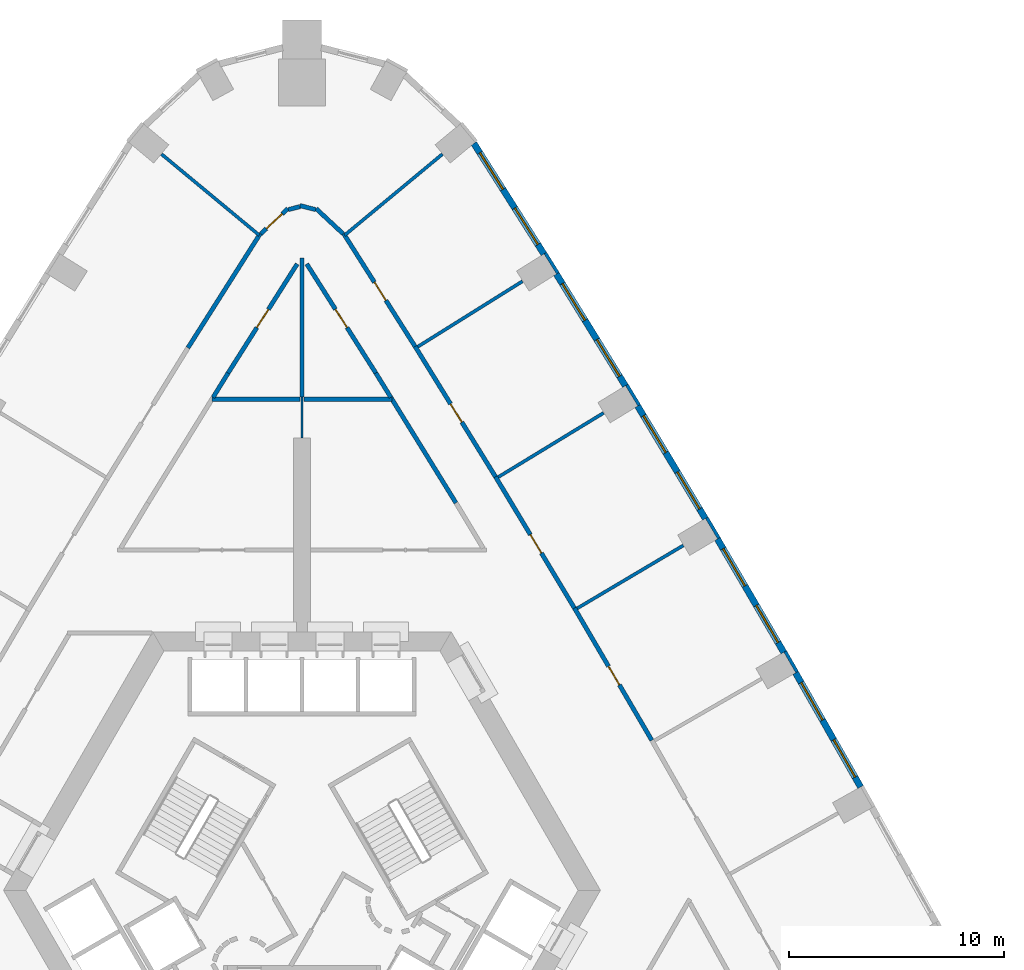
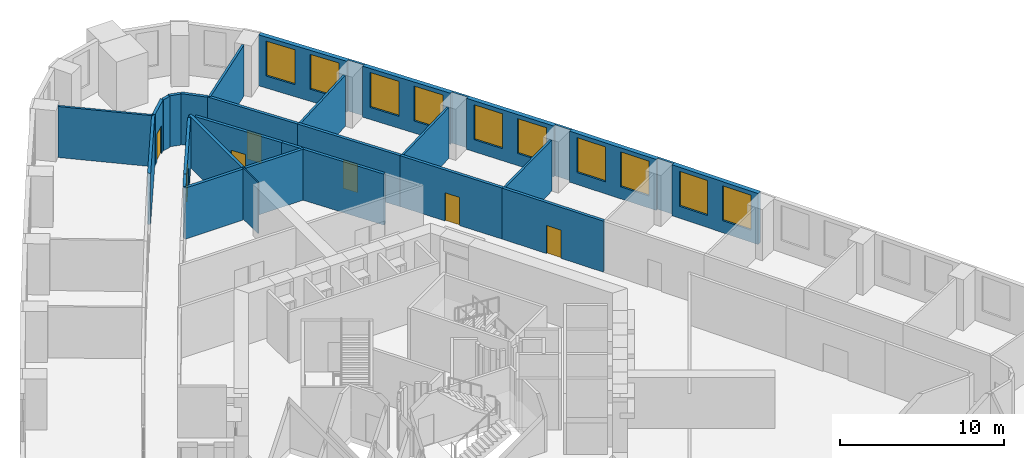
# One storey, part 10 of 13: 32 walls, 10 windows, 7 doors, 17 openings.
"""IFC4 building model written with IfcOpenShell, lengths in metres."""

from ifc_helpers import new_model, si_unit, direction, frame, frame_2d, origin, place, context, subcontext, project, spatial, rectangle, extrude, material, layer, layer_set, type_object, element, fill, save


model = new_model("IFC4")

# Units and contexts
model_context = context("Model", 3, precision=1e-05, world=origin(), true_north=direction((0.0, 1.0)))
body_context = subcontext(model_context, "Body", "Model", "MODEL_VIEW")
ifc_project = project(units=[si_unit("LENGTHUNIT", "METRE"), si_unit("AREAUNIT", "SQUARE_METRE"), si_unit("VOLUMEUNIT", "CUBIC_METRE"), si_unit("PLANEANGLEUNIT", "RADIAN"), si_unit("MASSUNIT", "GRAM", prefix="KILO")], contexts=[model_context])

# Site, building, storey
site_placement = place(None, origin())
site = spatial("IfcSite", under=ifc_project, at=site_placement, CompositionType="ELEMENT")
building_placement = place(site_placement, origin())
building = spatial("IfcBuilding", under=site, at=building_placement, Name="Entoto Arch Interchange Tower", CompositionType="ELEMENT")
storey_placement = place(building_placement, frame((0.0, 0.0, 90.800048828125)))
storey = spatial("IfcBuildingStorey", under=building, at=storey_placement, Name="L19", CompositionType="ELEMENT", Elevation=90.800048828125)

# Walls
ifc_material_1 = material(Name="Gypsum board partition on steel studs", Category="steel")
ifc_layer_1 = layer(ifc_material_1, 0.10009765625)
ifc_layer_set_1 = layer_set([ifc_layer_1], Name="Gypsum board partition on steel studs")
wall_type_1 = type_object("IfcWallType", Name="PARTITION 100", PredefinedType="PARTITIONING", material=ifc_layer_set_1)
wall_1_placement = place(storey_placement, frame((0.0, 23.5, 0.0), z_axis=(0.0, 0.0, 1.0), x_axis=(0.0, 1.0, 0.0)))
element("IfcWall", 1, at=wall_1_placement, inside=storey, type_object=wall_type_1, Name="wall:L19:p103", PredefinedType="PARTITIONING", context=body_context, shape_type="SweptSolid", body=[
    extrude(rectangle(XDim=1.89990234375, YDim=0.10009765625, at=frame_2d((0.949951171875, 0.0))), origin(), (0.0, 0.0, 1.0), 3.800048828125),
])
ifc_layer_2 = layer(ifc_material_1, 0.14990234375)
ifc_layer_set_2 = layer_set([ifc_layer_2], Name="Gypsum board partition on steel studs")
wall_type_2 = type_object("IfcWallType", Name="PARTITION 150", PredefinedType="PARTITIONING", material=ifc_layer_set_2)
wall_2_placement = place(storey_placement, frame((12.77587890625, 15.589111328125, 0.0), z_axis=(0.0, 0.0, 1.0), x_axis=(0.860225086153, 0.509914503768, 0.0)))
element("IfcWall", 2, at=wall_2_placement, inside=storey, type_object=wall_type_2, Name="wall:L19:p119", PredefinedType="PARTITIONING", context=body_context, shape_type="SweptSolid", body=[
    extrude(rectangle(XDim=5.730224609375, YDim=0.14990234375, at=frame_2d((2.865234375, 0.0))), origin(), (0.0, 0.0, 1.0), 3.800048828125),
])
wall_3_placement = place(storey_placement, frame((9.113037109375, 21.68408203125, 0.0), z_axis=(0.0, 0.0, 1.0), x_axis=(0.854075097122, 0.520149717367, 0.0)))
element("IfcWall", 3, at=wall_3_placement, inside=storey, type_object=wall_type_2, Name="wall:L19:p120", PredefinedType="PARTITIONING", context=body_context, shape_type="SweptSolid", body=[
    extrude(rectangle(XDim=5.72900390625, YDim=0.14990234375, at=frame_2d((2.864501953125, 0.0))), origin(), (0.0, 0.0, 1.0), 3.800048828125),
])
wall_4_placement = place(storey_placement, frame((5.3779296875, 27.737060546875, 0.0), z_axis=(0.0, 0.0, 1.0), x_axis=(0.848005484868, 0.529987450449, 0.0)))
element("IfcWall", 4, at=wall_4_placement, inside=storey, type_object=wall_type_2, Name="wall:L19:p121", PredefinedType="PARTITIONING", context=body_context, shape_type="SweptSolid", body=[
    extrude(rectangle(XDim=5.72998046875, YDim=0.14990234375, at=frame_2d((2.864990234375, 0.0))), origin(), (0.0, 0.0, 1.0), 3.800048828125),
])
for number, where, z_axis, x_axis, name in (
    (5, (1.98193359375, 32.9130859375, 0.0), (0.0, 0.0, 1.0), (0.769679976891, 0.638429896835, 0.0), "wall:L19:p122"),
    (6, (-1.98193359375, 32.9130859375, 0.0), (0.0, 0.0, 1.0), (-0.769679976891, 0.638429896835, 0.0), "wall:L19:p123"),
):
    element("IfcWall", number, at=place(storey_placement, frame(where, z_axis=z_axis, x_axis=x_axis)), inside=storey, type_object=wall_type_2, Name=name, PredefinedType="PARTITIONING", context=body_context, shape_type="SweptSolid", body=[
        extrude(rectangle(XDim=5.89111328125, YDim=0.14990234375, at=frame_2d((2.945556640625, 0.0))), origin(), (0.0, 0.0, 1.0), 3.800048828125),
    ])
ifc_layer_3 = layer(ifc_material_1, 0.199951171875)
ifc_layer_set_3 = layer_set([ifc_layer_3], Name="Gypsum board partition on steel studs")
wall_type_3 = type_object("IfcWallType", Name="PARTITION 200", PredefinedType="PARTITIONING", material=ifc_layer_set_3)
wall_5_placement = place(storey_placement, frame((7.14794921875, 20.488037109375, 0.0), z_axis=(0.0, 0.0, 1.0), x_axis=(-0.525162244663, 0.851002125016, 0.0)))
element("IfcWall", 7, at=wall_5_placement, inside=storey, type_object=wall_type_3, Name="wall:L19:p002", PredefinedType="PARTITIONING", context=body_context, shape_type="SweptSolid", body=[
    extrude(rectangle(XDim=5.75439453125, YDim=0.199951171875, at=frame_2d((2.877197265625, 0.0))), origin(), (0.0, 0.0, 1.0), 3.800048828125),
])
wall_6_placement = place(storey_placement, frame((4.1259765625, 25.385009765625, 0.0), z_axis=(0.0, 0.0, 1.0), x_axis=(-0.524824420869, 0.851210507019, 0.0)))
element("IfcWall", 8, at=wall_6_placement, inside=storey, type_object=wall_type_3, Name="wall:L19:p008", PredefinedType="PARTITIONING", context=body_context, shape_type="SweptSolid", body=[
    extrude(rectangle(XDim=1.330078125, YDim=0.199951171875, at=frame_2d((0.6650390625, 0.0))), origin(), (0.0, 0.0, 1.0), 3.800048828125),
])

# Wall, opening, door
wall_7_placement = place(storey_placement, frame((3.427978515625, 26.51708984375, 0.0), z_axis=(0.0, 0.0, 1.0), x_axis=(-0.535034639024, 0.844830122003, 0.0)))
wall_7 = element("IfcWall", 9, at=wall_7_placement, inside=storey, type_object=wall_type_3, Name="wall:L19:p009", PredefinedType="PARTITIONING", context=body_context, shape_type="SweptSolid", body=[
    extrude(rectangle(XDim=5.994140625, YDim=0.199951171875, at=frame_2d((2.9970703125, 0.0))), origin(), (0.0, 0.0, 1.0), 3.800048828125),
])
opening_1_placement = place(wall_7_placement, frame((2.4970703125, 0.0, 0.0)))
opening_1 = element("IfcOpeningElement", 10, at=opening_1_placement, cuts=wall_7, Name="Opening L19-D26", PredefinedType="OPENING", context=body_context, shape_type="SweptSolid", body=[
    extrude(rectangle(XDim=1.0, YDim=2.10009765625, at=frame_2d((0.5, 1.050048828125))), frame((0.0, 0.10986328125, 0.0), z_axis=(0.0, -1.0, 0.0), x_axis=(1.0, 0.0, 0.0)), (0.0, 0.0, 1.0), 0.219970703125),
])
ifc_material_2 = material(Name="Timber door leaf in Steel S235 frame", Category="steel")
door_type = type_object("IfcDoorType", Name="DOOR DS-10 1000x2100", OperationType="SINGLE_SWING_LEFT", PredefinedType="DOOR", material=ifc_material_2)
door_1_placement = place(opening_1_placement, origin())
door_1 = element("IfcDoor", 11, at=door_1_placement, inside=storey, type_object=door_type, Name="door:L19:26", OperationType="SINGLE_SWING_LEFT", OverallHeight=2.10009765625, OverallWidth=1.0, PredefinedType="DOOR", context=body_context, shape_type="SweptSolid", body=[
    extrude(rectangle(XDim=1.0, YDim=2.10009765625, at=frame_2d((0.5, 1.050048828125))), frame((0.0, 0.02490234375, 0.0), z_axis=(0.0, -1.0, 0.0), x_axis=(1.0, 0.0, 0.0)), (0.0, 0.0, 1.0), 0.050048828125),
])
fill(opening_1, door_1)

wall_8_placement = place(storey_placement, frame((-0.220947265625, 31.5810546875, 0.0), z_axis=(0.0, 0.0, 1.0), x_axis=(-0.535034639024, -0.844830122003, 0.0)))
wall_8 = element("IfcWall", 12, at=wall_8_placement, inside=storey, type_object=wall_type_3, Name="wall:L19:p010", PredefinedType="PARTITIONING", context=body_context, shape_type="SweptSolid", body=[
    extrude(rectangle(XDim=5.994140625, YDim=0.199951171875, at=frame_2d((2.9970703125, 0.0))), origin(), (0.0, 0.0, 1.0), 3.800048828125),
])
opening_2_placement = place(wall_8_placement, frame((2.4970703125, 0.0, 0.0)))
opening_2 = element("IfcOpeningElement", 13, at=opening_2_placement, cuts=wall_8, Name="Opening L19-D27", PredefinedType="OPENING", context=body_context, shape_type="SweptSolid", body=[
    extrude(rectangle(XDim=1.0, YDim=2.10009765625, at=frame_2d((0.5, 1.050048828125))), frame((0.0, 0.10986328125, 0.0), z_axis=(0.0, -1.0, 0.0), x_axis=(1.0, 0.0, 0.0)), (0.0, 0.0, 1.0), 0.219970703125),
])
door_2_placement = place(opening_2_placement, origin())
door_2 = element("IfcDoor", 14, at=door_2_placement, inside=storey, type_object=door_type, Name="door:L19:27", OperationType="SINGLE_SWING_LEFT", OverallHeight=2.10009765625, OverallWidth=1.0, PredefinedType="DOOR", context=body_context, shape_type="SweptSolid", body=[
    extrude(rectangle(XDim=1.0, YDim=2.10009765625, at=frame_2d((0.5, 1.050048828125))), frame((0.0, 0.02490234375, 0.0), z_axis=(0.0, -1.0, 0.0), x_axis=(1.0, 0.0, 0.0)), (0.0, 0.0, 1.0), 0.050048828125),
])
fill(opening_2, door_2)

# Wall
wall_9_placement = place(storey_placement, frame((-3.427978515625, 26.51708984375, 0.0), z_axis=(0.0, 0.0, 1.0), x_axis=(-0.524824420869, -0.851210507019, 0.0)))
element("IfcWall", 15, at=wall_9_placement, inside=storey, type_object=wall_type_3, Name="wall:L19:p011", PredefinedType="PARTITIONING", context=body_context, shape_type="SweptSolid", body=[
    extrude(rectangle(XDim=1.330078125, YDim=0.199951171875, at=frame_2d((0.6650390625, 0.0))), origin(), (0.0, 0.0, 1.0), 3.800048828125),
])

# Wall, opening, door
wall_10_placement = place(storey_placement, frame((12.652099609375, 15.60205078125, 0.0), z_axis=(0.0, 0.0, 1.0), x_axis=(0.504914693075, -0.863169249172, 0.0)))
wall_10 = element("IfcWall", 16, at=wall_10_placement, inside=storey, type_object=wall_type_3, Name="wall:L19:p043", PredefinedType="PARTITIONING", context=body_context, shape_type="SweptSolid", body=[
    extrude(rectangle(XDim=7.10986328125, YDim=0.199951171875, at=frame_2d((3.554931640625, 0.0))), origin(), (0.0, 0.0, 1.0), 3.800048828125),
])
opening_3_placement = place(wall_10_placement, frame((3.1298828125, 0.0, 0.0)))
opening_3 = element("IfcOpeningElement", 17, at=opening_3_placement, cuts=wall_10, Name="Opening L19-D09", PredefinedType="OPENING", context=body_context, shape_type="SweptSolid", body=[
    extrude(rectangle(XDim=1.0, YDim=2.10009765625, at=frame_2d((0.5, 1.050048828125))), frame((0.0, 0.10986328125, 0.0), z_axis=(0.0, -1.0, 0.0), x_axis=(1.0, 0.0, 0.0)), (0.0, 0.0, 1.0), 0.219970703125),
])
door_3_placement = place(opening_3_placement, origin())
door_3 = element("IfcDoor", 18, at=door_3_placement, inside=storey, type_object=door_type, Name="door:L19:09", OperationType="SINGLE_SWING_LEFT", OverallHeight=2.10009765625, OverallWidth=1.0, PredefinedType="DOOR", context=body_context, shape_type="SweptSolid", body=[
    extrude(rectangle(XDim=1.0, YDim=2.10009765625, at=frame_2d((0.5, 1.050048828125))), frame((0.0, 0.02490234375, 0.0), z_axis=(0.0, -1.0, 0.0), x_axis=(1.0, 0.0, 0.0)), (0.0, 0.0, 1.0), 0.050048828125),
])
fill(opening_3, door_3)

wall_11_placement = place(storey_placement, frame((8.989013671875, 21.696044921875, 0.0), z_axis=(0.0, 0.0, 1.0), x_axis=(0.515000602442, -0.857189815318, 0.0)))
wall_11 = element("IfcWall", 19, at=wall_11_placement, inside=storey, type_object=wall_type_3, Name="wall:L19:p044", PredefinedType="PARTITIONING", context=body_context, shape_type="SweptSolid", body=[
    extrude(rectangle(XDim=7.1103515625, YDim=0.199951171875, at=frame_2d((3.55517578125, 0.0))), origin(), (0.0, 0.0, 1.0), 3.800048828125),
])
opening_4_placement = place(wall_11_placement, frame((3.1298828125, 0.0, 0.0)))
opening_4 = element("IfcOpeningElement", 20, at=opening_4_placement, cuts=wall_11, Name="Opening L19-D10", PredefinedType="OPENING", context=body_context, shape_type="SweptSolid", body=[
    extrude(rectangle(XDim=1.0, YDim=2.10009765625, at=frame_2d((0.5, 1.050048828125))), frame((0.0, 0.10986328125, 0.0), z_axis=(0.0, -1.0, 0.0), x_axis=(1.0, 0.0, 0.0)), (0.0, 0.0, 1.0), 0.219970703125),
])
door_4_placement = place(opening_4_placement, origin())
door_4 = element("IfcDoor", 21, at=door_4_placement, inside=storey, type_object=door_type, Name="door:L19:10", OperationType="SINGLE_SWING_LEFT", OverallHeight=2.10009765625, OverallWidth=1.0, PredefinedType="DOOR", context=body_context, shape_type="SweptSolid", body=[
    extrude(rectangle(XDim=1.0, YDim=2.10009765625, at=frame_2d((0.5, 1.050048828125))), frame((0.0, 0.02490234375, 0.0), z_axis=(0.0, -1.0, 0.0), x_axis=(1.0, 0.0, 0.0)), (0.0, 0.0, 1.0), 0.050048828125),
])
fill(opening_4, door_4)

wall_12_placement = place(storey_placement, frame((5.25390625, 27.7470703125, 0.0), z_axis=(0.0, 0.0, 1.0), x_axis=(0.52516023635, -0.851003364363, 0.0)))
wall_12 = element("IfcWall", 22, at=wall_12_placement, inside=storey, type_object=wall_type_3, Name="wall:L19:p045", PredefinedType="PARTITIONING", context=body_context, shape_type="SweptSolid", body=[
    extrude(rectangle(XDim=7.1103515625, YDim=0.199951171875, at=frame_2d((3.55517578125, 0.0))), origin(), (0.0, 0.0, 1.0), 3.800048828125),
])
opening_5_placement = place(wall_12_placement, frame((3.1298828125, 0.0, 0.0)))
opening_5 = element("IfcOpeningElement", 23, at=opening_5_placement, cuts=wall_12, Name="Opening L19-D11", PredefinedType="OPENING", context=body_context, shape_type="SweptSolid", body=[
    extrude(rectangle(XDim=1.0, YDim=2.10009765625, at=frame_2d((0.5, 1.050048828125))), frame((0.0, 0.10986328125, 0.0), z_axis=(0.0, -1.0, 0.0), x_axis=(1.0, 0.0, 0.0)), (0.0, 0.0, 1.0), 0.219970703125),
])
door_5_placement = place(opening_5_placement, origin())
door_5 = element("IfcDoor", 24, at=door_5_placement, inside=storey, type_object=door_type, Name="door:L19:11", OperationType="SINGLE_SWING_LEFT", OverallHeight=2.10009765625, OverallWidth=1.0, PredefinedType="DOOR", context=body_context, shape_type="SweptSolid", body=[
    extrude(rectangle(XDim=1.0, YDim=2.10009765625, at=frame_2d((0.5, 1.050048828125))), frame((0.0, 0.02490234375, 0.0), z_axis=(0.0, -1.0, 0.0), x_axis=(1.0, 0.0, 0.0)), (0.0, 0.0, 1.0), 0.050048828125),
])
fill(opening_5, door_5)

wall_13_placement = place(storey_placement, frame((1.928955078125, 32.9970703125, 0.0), z_axis=(0.0, 0.0, 1.0), x_axis=(0.534863276222, -0.844938622474, 0.0)))
wall_13 = element("IfcWall", 25, at=wall_13_placement, inside=storey, type_object=wall_type_3, Name="wall:L19:p046", PredefinedType="PARTITIONING", context=body_context, shape_type="SweptSolid", body=[
    extrude(rectangle(XDim=6.214599609375, YDim=0.199951171875, at=frame_2d((3.107421875, 0.0))), origin(), (0.0, 0.0, 1.0), 3.800048828125),
])
opening_6_placement = place(wall_13_placement, frame((2.681884765625, 0.0, 0.0)))
opening_6 = element("IfcOpeningElement", 26, at=opening_6_placement, cuts=wall_13, Name="Opening L19-D12", PredefinedType="OPENING", context=body_context, shape_type="SweptSolid", body=[
    extrude(rectangle(XDim=1.0, YDim=2.10009765625, at=frame_2d((0.5, 1.050048828125))), frame((0.0, 0.10986328125, 0.0), z_axis=(0.0, -1.0, 0.0), x_axis=(1.0, 0.0, 0.0)), (0.0, 0.0, 1.0), 0.219970703125),
])
door_6_placement = place(opening_6_placement, origin())
door_6 = element("IfcDoor", 27, at=door_6_placement, inside=storey, type_object=door_type, Name="door:L19:12", OperationType="SINGLE_SWING_LEFT", OverallHeight=2.10009765625, OverallWidth=1.0, PredefinedType="DOOR", context=body_context, shape_type="SweptSolid", body=[
    extrude(rectangle(XDim=1.0, YDim=2.10009765625, at=frame_2d((0.5, 1.050048828125))), frame((0.0, 0.02490234375, 0.0), z_axis=(0.0, -1.0, 0.0), x_axis=(1.0, 0.0, 0.0)), (0.0, 0.0, 1.0), 0.050048828125),
])
fill(opening_6, door_6)

wall_14_placement = place(storey_placement, frame((-1.908935546875, 32.98095703125, 0.0), z_axis=(0.0, 0.0, 1.0), x_axis=(0.731549606095, 0.681788217721, 0.0)))
wall_14 = element("IfcWall", 28, at=wall_14_placement, inside=storey, type_object=wall_type_3, Name="wall:L19:p047", PredefinedType="PARTITIONING", context=body_context, shape_type="SweptSolid", body=[
    extrude(rectangle(XDim=1.707275390625, YDim=0.199951171875, at=frame_2d((0.853515625, 0.0))), origin(), (0.0, 0.0, 1.0), 3.800048828125),
])
opening_7_placement = place(wall_14_placement, frame((0.35302734375, 0.0, 0.0)))
opening_7 = element("IfcOpeningElement", 29, at=opening_7_placement, cuts=wall_14, Name="Opening L19-D13", PredefinedType="OPENING", context=body_context, shape_type="SweptSolid", body=[
    extrude(rectangle(XDim=1.0, YDim=2.10009765625, at=frame_2d((0.5, 1.050048828125))), frame((0.0, 0.10986328125, 0.0), z_axis=(0.0, -1.0, 0.0), x_axis=(1.0, 0.0, 0.0)), (0.0, 0.0, 1.0), 0.219970703125),
])
door_7_placement = place(opening_7_placement, origin())
door_7 = element("IfcDoor", 30, at=door_7_placement, inside=storey, type_object=door_type, Name="door:L19:13", OperationType="SINGLE_SWING_RIGHT", OverallHeight=2.10009765625, OverallWidth=1.0, PredefinedType="DOOR", context=body_context, shape_type="SweptSolid", body=[
    extrude(rectangle(XDim=1.0, YDim=2.10009765625, at=frame_2d((0.5, 1.050048828125))), frame((0.0, 0.02490234375, 0.0), z_axis=(0.0, -1.0, 0.0), x_axis=(1.0, 0.0, 0.0)), (0.0, 0.0, 1.0), 0.050048828125),
])
fill(opening_7, door_7)

# Walls
wall_15_placement = place(storey_placement, frame((-0.636962890625, 34.10107421875, 0.0), z_axis=(0.0, 0.0, 1.0), x_axis=(0.968893133717, 0.247479484878, 0.0)))
element("IfcWall", 31, at=wall_15_placement, inside=storey, type_object=wall_type_3, Name="wall:L19:p048", PredefinedType="PARTITIONING", context=body_context, shape_type="SweptSolid", body=[
    extrude(rectangle(XDim=0.557373046875, YDim=0.199951171875, at=frame_2d((0.27880859375, 0.0))), origin(), (0.0, 0.0, 1.0), 3.800048828125),
])
wall_16_placement = place(storey_placement, frame((-0.096923828125, 34.2890625, 0.0), z_axis=(0.0, 0.0, 1.0), x_axis=(0.96872347969, -0.248142740972, 0.0)))
element("IfcWall", 32, at=wall_16_placement, inside=storey, type_object=wall_type_3, Name="wall:L19:p049", PredefinedType="PARTITIONING", context=body_context, shape_type="SweptSolid", body=[
    extrude(rectangle(XDim=0.757568359375, YDim=0.199951171875, at=frame_2d((0.37890625, 0.0))), origin(), (0.0, 0.0, 1.0), 3.800048828125),
])
wall_17_placement = place(storey_placement, frame((0.659912109375, 34.14501953125, 0.0), z_axis=(0.0, 0.0, 1.0), x_axis=(0.731549606095, -0.681788217721, 0.0)))
element("IfcWall", 33, at=wall_17_placement, inside=storey, type_object=wall_type_3, Name="wall:L19:p050", PredefinedType="PARTITIONING", context=body_context, shape_type="SweptSolid", body=[
    extrude(rectangle(XDim=1.707275390625, YDim=0.199951171875, at=frame_2d((0.853515625, 0.0))), origin(), (0.0, 0.0, 1.0), 3.800048828125),
])
wall_18_placement = place(storey_placement, frame((-5.29296875, 27.68408203125, 0.0), z_axis=(0.0, 0.0, 1.0), x_axis=(0.534952324147, 0.844882246759, 0.0)))
element("IfcWall", 34, at=wall_18_placement, inside=storey, type_object=wall_type_3, Name="wall:L19:p052", PredefinedType="PARTITIONING", context=body_context, shape_type="SweptSolid", body=[
    extrude(rectangle(XDim=6.288330078125, YDim=0.199951171875, at=frame_2d((3.14404296875, 0.0))), origin(), (0.0, 0.0, 1.0), 3.800048828125),
])
for number, where, z_axis, x_axis, name in (
    (35, (0.10009765625, 25.300048828125, 0.0), (0.0, 0.0, 1.0), (1.0, 0.0, 0.0), "wall:L19:p104"),
    (36, (-4.178955078125, 25.300048828125, 0.0), (0.0, 0.0, 1.0), (1.0, 0.0, 0.0), "wall:L19:p105"),
):
    element("IfcWall", number, at=place(storey_placement, frame(where, z_axis=z_axis, x_axis=x_axis)), inside=storey, type_object=wall_type_3, Name=name, PredefinedType="PARTITIONING", context=body_context, shape_type="SweptSolid", body=[
        extrude(rectangle(XDim=4.078857421875, YDim=0.199951171875, at=frame_2d((2.03955078125, 0.0))), origin(), (0.0, 0.0, 1.0), 3.800048828125),
    ])
wall_19_placement = place(storey_placement, frame((0.0, 25.39990234375, 0.0), z_axis=(0.0, 0.0, 1.0), x_axis=(0.0, 1.0, 0.0)))
element("IfcWall", 37, at=wall_19_placement, inside=storey, type_object=wall_type_3, Name="wall:L19:p106", PredefinedType="PARTITIONING", context=body_context, shape_type="SweptSolid", body=[
    extrude(rectangle(XDim=6.453125, YDim=0.199951171875, at=frame_2d((3.2265625, 0.0))), origin(), (0.0, 0.0, 1.0), 3.800048828125),
])

# Wall, openings, windows
ifc_material_3 = material(Name="Welded tuff (ignimbrite) cladding, warm buff", Category="masonry")
ifc_layer_4 = layer(ifc_material_3, 0.300048828125)
ifc_layer_set_4 = layer_set([ifc_layer_4], Name="Welded tuff (ignimbrite) cladding, warm buff")
wall_type_4 = type_object("IfcWallType", Name="STONE INFILL WALL 300", PredefinedType="STANDARD", material=ifc_layer_set_4)
wall_20_placement = place(storey_placement, frame((25.93603515625, 7.299072265625, 0.0), z_axis=(0.0, 0.0, 1.0), x_axis=(-0.49492259535, 0.868937065967, 0.0)))
wall_20 = element("IfcWall", 38, at=wall_20_placement, inside=storey, type_object=wall_type_4, Name="Facade wall NE-04 L19", PredefinedType="STANDARD", context=body_context, shape_type="SweptSolid", body=[
    extrude(rectangle(XDim=6.09814453125, YDim=0.300048828125, at=frame_2d((3.049072265625, 0.0))), origin(), (0.0, 0.0, 1.0), 3.800048828125),
])
opening_8_placement = place(wall_20_placement, frame((0.52490234375, 0.0, 0.89990234375)))
opening_8 = element("IfcOpeningElement", 39, at=opening_8_placement, cuts=wall_20, Name="Opening WO-C", PredefinedType="OPENING", context=body_context, shape_type="SweptSolid", body=[
    extrude(rectangle(XDim=2.0, YDim=2.60009765625, at=frame_2d((1.0, 1.300048828125))), frame((0.0, 0.16015625, 0.0), z_axis=(0.0, -1.0, 0.0), x_axis=(1.0, 0.0, 0.0)), (0.0, 0.0, 1.0), 0.320068359375),
])
opening_9_placement = place(wall_20_placement, frame((3.573974609375, 0.0, 0.89990234375)))
opening_9 = element("IfcOpeningElement", 40, at=opening_9_placement, cuts=wall_20, Name="Opening WO-C", PredefinedType="OPENING", context=body_context, shape_type="SweptSolid", body=[
    extrude(rectangle(XDim=2.0, YDim=2.60009765625, at=frame_2d((1.0, 1.300048828125))), frame((0.0, 0.16015625, 0.0), z_axis=(0.0, -1.0, 0.0), x_axis=(1.0, 0.0, 0.0)), (0.0, 0.0, 1.0), 0.320068359375),
])
ifc_material_4 = material(Name="Clear glass, low-e double glazed", Category="glass")
window_type = type_object("IfcWindowType", Name="WINDOW WO-C 2000x2600", PartitioningType="DOUBLE_PANEL_VERTICAL", PredefinedType="WINDOW", material=ifc_material_4)
window_1_placement = place(opening_8_placement, origin())
window_1 = element("IfcWindow", 41, at=window_1_placement, inside=storey, type_object=window_type, Name="Window WO-C NE-04 L19", OverallHeight=2.60009765625, OverallWidth=2.0, PartitioningType="SINGLE_PANEL", PredefinedType="WINDOW", context=body_context, shape_type="SweptSolid", body=[
    extrude(rectangle(XDim=2.0, YDim=2.60009765625, at=frame_2d((1.0, 1.300048828125))), frame((0.0, 0.030029296875, 0.0), z_axis=(0.0, -1.0, 0.0), x_axis=(1.0, 0.0, 0.0)), (0.0, 0.0, 1.0), 0.06005859375),
])
fill(opening_8, window_1)
window_2_placement = place(opening_9_placement, origin())
window_2 = element("IfcWindow", 42, at=window_2_placement, inside=storey, type_object=window_type, Name="Window WO-C NE-04 L19", OverallHeight=2.60009765625, OverallWidth=2.0, PartitioningType="SINGLE_PANEL", PredefinedType="WINDOW", context=body_context, shape_type="SweptSolid", body=[
    extrude(rectangle(XDim=2.0, YDim=2.60009765625, at=frame_2d((1.0, 1.300048828125))), frame((0.0, 0.030029296875, 0.0), z_axis=(0.0, -1.0, 0.0), x_axis=(1.0, 0.0, 0.0)), (0.0, 0.0, 1.0), 0.06005859375),
])
fill(opening_9, window_2)

wall_21_placement = place(storey_placement, frame((22.368896484375, 13.549072265625, 0.0), z_axis=(0.0, 0.0, 1.0), x_axis=(-0.504998117261, 0.863120444413, 0.0)))
wall_21 = element("IfcWall", 43, at=wall_21_placement, inside=storey, type_object=wall_type_4, Name="Facade wall NE-05 L19", PredefinedType="STANDARD", context=body_context, shape_type="SweptSolid", body=[
    extrude(rectangle(XDim=6.0986328125, YDim=0.300048828125, at=frame_2d((3.04931640625, 0.0))), origin(), (0.0, 0.0, 1.0), 3.800048828125),
])
opening_10_placement = place(wall_21_placement, frame((0.52490234375, 0.0, 0.89990234375)))
opening_10 = element("IfcOpeningElement", 44, at=opening_10_placement, cuts=wall_21, Name="Opening WO-C", PredefinedType="OPENING", context=body_context, shape_type="SweptSolid", body=[
    extrude(rectangle(XDim=2.0, YDim=2.60009765625, at=frame_2d((1.0, 1.300048828125))), frame((0.0, 0.16015625, 0.0), z_axis=(0.0, -1.0, 0.0), x_axis=(1.0, 0.0, 0.0)), (0.0, 0.0, 1.0), 0.320068359375),
])
opening_11_placement = place(wall_21_placement, frame((3.573974609375, 0.0, 0.89990234375)))
opening_11 = element("IfcOpeningElement", 45, at=opening_11_placement, cuts=wall_21, Name="Opening WO-C", PredefinedType="OPENING", context=body_context, shape_type="SweptSolid", body=[
    extrude(rectangle(XDim=2.0, YDim=2.60009765625, at=frame_2d((1.0, 1.300048828125))), frame((0.0, 0.16015625, 0.0), z_axis=(0.0, -1.0, 0.0), x_axis=(1.0, 0.0, 0.0)), (0.0, 0.0, 1.0), 0.320068359375),
])
window_3_placement = place(opening_10_placement, origin())
window_3 = element("IfcWindow", 46, at=window_3_placement, inside=storey, type_object=window_type, Name="Window WO-C NE-05 L19", OverallHeight=2.60009765625, OverallWidth=2.0, PartitioningType="SINGLE_PANEL", PredefinedType="WINDOW", context=body_context, shape_type="SweptSolid", body=[
    extrude(rectangle(XDim=2.0, YDim=2.60009765625, at=frame_2d((1.0, 1.300048828125))), frame((0.0, 0.030029296875, 0.0), z_axis=(0.0, -1.0, 0.0), x_axis=(1.0, 0.0, 0.0)), (0.0, 0.0, 1.0), 0.06005859375),
])
fill(opening_10, window_3)
window_4_placement = place(opening_11_placement, origin())
window_4 = element("IfcWindow", 47, at=window_4_placement, inside=storey, type_object=window_type, Name="Window WO-C NE-05 L19", OverallHeight=2.60009765625, OverallWidth=2.0, PartitioningType="SINGLE_PANEL", PredefinedType="WINDOW", context=body_context, shape_type="SweptSolid", body=[
    extrude(rectangle(XDim=2.0, YDim=2.60009765625, at=frame_2d((1.0, 1.300048828125))), frame((0.0, 0.030029296875, 0.0), z_axis=(0.0, -1.0, 0.0), x_axis=(1.0, 0.0, 0.0)), (0.0, 0.0, 1.0), 0.06005859375),
])
fill(opening_11, window_4)

wall_22_placement = place(storey_placement, frame((18.72900390625, 19.757080078125, 0.0), z_axis=(0.0, 0.0, 1.0), x_axis=(-0.515102053092, 0.857128855483, 0.0)))
wall_22 = element("IfcWall", 48, at=wall_22_placement, inside=storey, type_object=wall_type_4, Name="Facade wall NE-06 L19", PredefinedType="STANDARD", context=body_context, shape_type="SweptSolid", body=[
    extrude(rectangle(XDim=6.09814453125, YDim=0.300048828125, at=frame_2d((3.049072265625, 0.0))), origin(), (0.0, 0.0, 1.0), 3.800048828125),
])
opening_12_placement = place(wall_22_placement, frame((0.52490234375, 0.0, 0.89990234375)))
opening_12 = element("IfcOpeningElement", 49, at=opening_12_placement, cuts=wall_22, Name="Opening WO-C", PredefinedType="OPENING", context=body_context, shape_type="SweptSolid", body=[
    extrude(rectangle(XDim=2.0, YDim=2.60009765625, at=frame_2d((1.0, 1.300048828125))), frame((0.0, 0.16015625, 0.0), z_axis=(0.0, -1.0, 0.0), x_axis=(1.0, 0.0, 0.0)), (0.0, 0.0, 1.0), 0.320068359375),
])
opening_13_placement = place(wall_22_placement, frame((3.573974609375, 0.0, 0.89990234375)))
opening_13 = element("IfcOpeningElement", 50, at=opening_13_placement, cuts=wall_22, Name="Opening WO-C", PredefinedType="OPENING", context=body_context, shape_type="SweptSolid", body=[
    extrude(rectangle(XDim=2.0, YDim=2.60009765625, at=frame_2d((1.0, 1.300048828125))), frame((0.0, 0.16015625, 0.0), z_axis=(0.0, -1.0, 0.0), x_axis=(1.0, 0.0, 0.0)), (0.0, 0.0, 1.0), 0.320068359375),
])
window_5_placement = place(opening_12_placement, origin())
window_5 = element("IfcWindow", 51, at=window_5_placement, inside=storey, type_object=window_type, Name="Window WO-C NE-06 L19", OverallHeight=2.60009765625, OverallWidth=2.0, PartitioningType="SINGLE_PANEL", PredefinedType="WINDOW", context=body_context, shape_type="SweptSolid", body=[
    extrude(rectangle(XDim=2.0, YDim=2.60009765625, at=frame_2d((1.0, 1.300048828125))), frame((0.0, 0.030029296875, 0.0), z_axis=(0.0, -1.0, 0.0), x_axis=(1.0, 0.0, 0.0)), (0.0, 0.0, 1.0), 0.06005859375),
])
fill(opening_12, window_5)
window_6_placement = place(opening_13_placement, origin())
window_6 = element("IfcWindow", 52, at=window_6_placement, inside=storey, type_object=window_type, Name="Window WO-C NE-06 L19", OverallHeight=2.60009765625, OverallWidth=2.0, PartitioningType="SINGLE_PANEL", PredefinedType="WINDOW", context=body_context, shape_type="SweptSolid", body=[
    extrude(rectangle(XDim=2.0, YDim=2.60009765625, at=frame_2d((1.0, 1.300048828125))), frame((0.0, 0.030029296875, 0.0), z_axis=(0.0, -1.0, 0.0), x_axis=(1.0, 0.0, 0.0)), (0.0, 0.0, 1.0), 0.06005859375),
])
fill(opening_13, window_6)

wall_23_placement = place(storey_placement, frame((15.01708984375, 25.922119140625, 0.0), z_axis=(0.0, 0.0, 1.0), x_axis=(-0.525204788886, 0.850975869065, 0.0)))
wall_23 = element("IfcWall", 53, at=wall_23_placement, inside=storey, type_object=wall_type_4, Name="Facade wall NE-07 L19", PredefinedType="STANDARD", context=body_context, shape_type="SweptSolid", body=[
    extrude(rectangle(XDim=6.098876953125, YDim=0.300048828125, at=frame_2d((3.04931640625, 0.0))), origin(), (0.0, 0.0, 1.0), 3.800048828125),
])
opening_14_placement = place(wall_23_placement, frame((0.52490234375, 0.0, 0.89990234375)))
opening_14 = element("IfcOpeningElement", 54, at=opening_14_placement, cuts=wall_23, Name="Opening WO-C", PredefinedType="OPENING", context=body_context, shape_type="SweptSolid", body=[
    extrude(rectangle(XDim=2.0, YDim=2.60009765625, at=frame_2d((1.0, 1.300048828125))), frame((0.0, 0.16015625, 0.0), z_axis=(0.0, -1.0, 0.0), x_axis=(1.0, 0.0, 0.0)), (0.0, 0.0, 1.0), 0.320068359375),
])
opening_15_placement = place(wall_23_placement, frame((3.573974609375, 0.0, 0.89990234375)))
opening_15 = element("IfcOpeningElement", 55, at=opening_15_placement, cuts=wall_23, Name="Opening WO-C", PredefinedType="OPENING", context=body_context, shape_type="SweptSolid", body=[
    extrude(rectangle(XDim=2.0, YDim=2.60009765625, at=frame_2d((1.0, 1.300048828125))), frame((0.0, 0.16015625, 0.0), z_axis=(0.0, -1.0, 0.0), x_axis=(1.0, 0.0, 0.0)), (0.0, 0.0, 1.0), 0.320068359375),
])
window_7_placement = place(opening_14_placement, origin())
window_7 = element("IfcWindow", 56, at=window_7_placement, inside=storey, type_object=window_type, Name="Window WO-C NE-07 L19", OverallHeight=2.60009765625, OverallWidth=2.0, PartitioningType="SINGLE_PANEL", PredefinedType="WINDOW", context=body_context, shape_type="SweptSolid", body=[
    extrude(rectangle(XDim=2.0, YDim=2.60009765625, at=frame_2d((1.0, 1.300048828125))), frame((0.0, 0.030029296875, 0.0), z_axis=(0.0, -1.0, 0.0), x_axis=(1.0, 0.0, 0.0)), (0.0, 0.0, 1.0), 0.06005859375),
])
fill(opening_14, window_7)
window_8_placement = place(opening_15_placement, origin())
window_8 = element("IfcWindow", 57, at=window_8_placement, inside=storey, type_object=window_type, Name="Window WO-C NE-07 L19", OverallHeight=2.60009765625, OverallWidth=2.0, PartitioningType="SINGLE_PANEL", PredefinedType="WINDOW", context=body_context, shape_type="SweptSolid", body=[
    extrude(rectangle(XDim=2.0, YDim=2.60009765625, at=frame_2d((1.0, 1.300048828125))), frame((0.0, 0.030029296875, 0.0), z_axis=(0.0, -1.0, 0.0), x_axis=(1.0, 0.0, 0.0)), (0.0, 0.0, 1.0), 0.06005859375),
])
fill(opening_15, window_8)

wall_24_placement = place(storey_placement, frame((11.23193359375, 32.04296875, 0.0), z_axis=(0.0, 0.0, 1.0), x_axis=(-0.534869492536, 0.84493468739, 0.0)))
wall_24 = element("IfcWall", 58, at=wall_24_placement, inside=storey, type_object=wall_type_4, Name="Facade wall NE-08 L19", PredefinedType="STANDARD", context=body_context, shape_type="SweptSolid", body=[
    extrude(rectangle(XDim=6.076171875, YDim=0.300048828125, at=frame_2d((3.0380859375, 0.0))), origin(), (0.0, 0.0, 1.0), 3.800048828125),
])
opening_16_placement = place(wall_24_placement, frame((0.51904296875, 0.0, 0.89990234375)))
opening_16 = element("IfcOpeningElement", 59, at=opening_16_placement, cuts=wall_24, Name="Opening WO-C", PredefinedType="OPENING", context=body_context, shape_type="SweptSolid", body=[
    extrude(rectangle(XDim=2.0, YDim=2.60009765625, at=frame_2d((1.0, 1.300048828125))), frame((0.0, 0.16015625, 0.0), z_axis=(0.0, -1.0, 0.0), x_axis=(1.0, 0.0, 0.0)), (0.0, 0.0, 1.0), 0.320068359375),
])
opening_17_placement = place(wall_24_placement, frame((3.556884765625, 0.0, 0.89990234375)))
opening_17 = element("IfcOpeningElement", 60, at=opening_17_placement, cuts=wall_24, Name="Opening WO-C", PredefinedType="OPENING", context=body_context, shape_type="SweptSolid", body=[
    extrude(rectangle(XDim=2.0, YDim=2.60009765625, at=frame_2d((1.0, 1.300048828125))), frame((0.0, 0.16015625, 0.0), z_axis=(0.0, -1.0, 0.0), x_axis=(1.0, 0.0, 0.0)), (0.0, 0.0, 1.0), 0.320068359375),
])
window_9_placement = place(opening_16_placement, origin())
window_9 = element("IfcWindow", 61, at=window_9_placement, inside=storey, type_object=window_type, Name="Window WO-C NE-08 L19", OverallHeight=2.60009765625, OverallWidth=2.0, PartitioningType="SINGLE_PANEL", PredefinedType="WINDOW", context=body_context, shape_type="SweptSolid", body=[
    extrude(rectangle(XDim=2.0, YDim=2.60009765625, at=frame_2d((1.0, 1.300048828125))), frame((0.0, 0.030029296875, 0.0), z_axis=(0.0, -1.0, 0.0), x_axis=(1.0, 0.0, 0.0)), (0.0, 0.0, 1.0), 0.06005859375),
])
fill(opening_16, window_9)
window_10_placement = place(opening_17_placement, origin())
window_10 = element("IfcWindow", 62, at=window_10_placement, inside=storey, type_object=window_type, Name="Window WO-C NE-08 L19", OverallHeight=2.60009765625, OverallWidth=2.0, PartitioningType="SINGLE_PANEL", PredefinedType="WINDOW", context=body_context, shape_type="SweptSolid", body=[
    extrude(rectangle(XDim=2.0, YDim=2.60009765625, at=frame_2d((1.0, 1.300048828125))), frame((0.0, 0.030029296875, 0.0), z_axis=(0.0, -1.0, 0.0), x_axis=(1.0, 0.0, 0.0)), (0.0, 0.0, 1.0), 0.06005859375),
])
fill(opening_17, window_10)

# Walls
ifc_layer_5 = layer(ifc_material_3, 0.14990234375)
ifc_layer_set_5 = layer_set([ifc_layer_5], Name="Welded tuff (ignimbrite) cladding, warm buff")
wall_type_5 = type_object("IfcWallType", Name="STONE PIER CLADDING 150", PredefinedType="STANDARD", material=ifc_layer_set_5)
wall_25_placement = place(storey_placement, frame((22.986083984375, 12.635986328125, 0.0), z_axis=(0.0, 0.0, 1.0), x_axis=(-0.499837685251, 0.86611909597, 0.0)))
element("IfcWall", 63, at=wall_25_placement, inside=storey, type_object=wall_type_5, Name="Stone pier NE05 L19", PredefinedType="STANDARD", context=body_context, shape_type="SweptSolid", body=[
    extrude(rectangle(XDim=1.100341796875, YDim=0.14990234375, at=frame_2d((0.55029296875, 0.0))), origin(), (0.0, 0.0, 1.0), 3.800048828125),
])
wall_26_placement = place(storey_placement, frame((19.35693359375, 18.85205078125, 0.0), z_axis=(0.0, 0.0, 1.0), x_axis=(-0.510082245696, 0.860125631885, 0.0)))
element("IfcWall", 64, at=wall_26_placement, inside=storey, type_object=wall_type_5, Name="Stone pier NE06 L19", PredefinedType="STANDARD", context=body_context, shape_type="SweptSolid", body=[
    extrude(rectangle(XDim=1.099853515625, YDim=0.14990234375, at=frame_2d((0.5498046875, 0.0))), origin(), (0.0, 0.0, 1.0), 3.800048828125),
])
wall_27_placement = place(storey_placement, frame((15.655029296875, 25.02392578125, 0.0), z_axis=(0.0, 0.0, 1.0), x_axis=(-0.51977099384, 0.854305632641, 0.0)))
element("IfcWall", 65, at=wall_27_placement, inside=storey, type_object=wall_type_5, Name="Stone pier NE07 L19", PredefinedType="STANDARD", context=body_context, shape_type="SweptSolid", body=[
    extrude(rectangle(XDim=1.1005859375, YDim=0.14990234375, at=frame_2d((0.55029296875, 0.0))), origin(), (0.0, 0.0, 1.0), 3.800048828125),
])
wall_28_placement = place(storey_placement, frame((11.881103515625, 31.153076171875, 0.0), z_axis=(0.0, 0.0, 1.0), x_axis=(-0.52997899071, 0.848010771987, 0.0)))
element("IfcWall", 66, at=wall_28_placement, inside=storey, type_object=wall_type_5, Name="Stone pier NE08 L19", PredefinedType="STANDARD", context=body_context, shape_type="SweptSolid", body=[
    extrude(rectangle(XDim=1.10009765625, YDim=0.14990234375, at=frame_2d((0.550048828125, 0.0))), origin(), (0.0, 0.0, 1.0), 3.800048828125),
])

save(model, "model.ifc")
